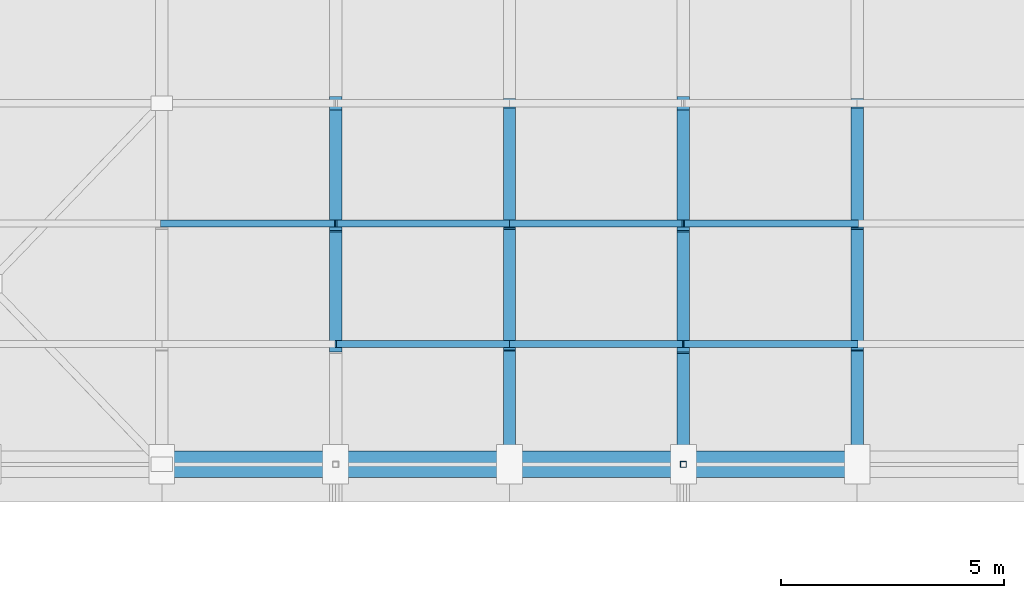
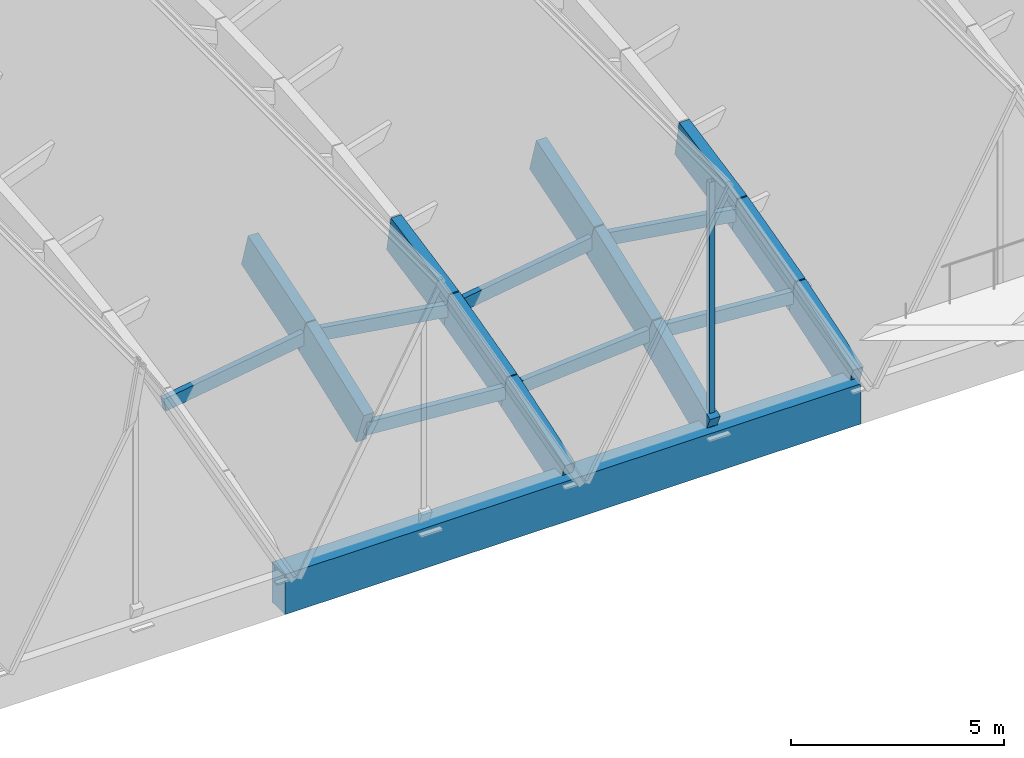
# One storey, part 4 of 39: 19 members, 1 beam.
"""IFC4 building model written with IfcOpenShell, lengths in metres."""

from ifc_helpers import new_model, si_unit, direction, frame, origin, origin_2d, place, context, subcontext, project, spatial, rectangle, hollow_rectangle, extrude, material, material_profile, profile_set, type_object, element, save


model = new_model("IFC4")

# Units and contexts
model_context = context("Model", 3, precision=1e-05, world=origin(), true_north=direction((0.0, 1.0)))
body_context = subcontext(model_context, "Body", "Model", "MODEL_VIEW")
ifc_project = project(units=[si_unit("LENGTHUNIT", "METRE"), si_unit("AREAUNIT", "SQUARE_METRE"), si_unit("VOLUMEUNIT", "CUBIC_METRE"), si_unit("PLANEANGLEUNIT", "RADIAN"), si_unit("MASSUNIT", "GRAM", prefix="KILO")], contexts=[model_context])

# Site, building, storey
site_placement = place(None, origin())
site = spatial("IfcSite", under=ifc_project, at=site_placement, CompositionType="ELEMENT")
building_placement = place(site_placement, origin())
building = spatial("IfcBuilding", under=site, at=building_placement, Name="Tizgana Railside Sports Hall", CompositionType="ELEMENT")
storey_placement = place(building_placement, frame((0.0, 0.0, 23.699951171875)))
storey = spatial("IfcBuildingStorey", under=building, at=storey_placement, Name="RF", CompositionType="ELEMENT", Elevation=23.699951171875)

# Beam
ifc_material_1 = material(Name="Concrete C40/50", Category="concrete")
ifc_material_profile_1 = material_profile(ifc_material_1, rectangle(XDim=0.60009765625, YDim=1.14990234375, at=origin_2d()), Name="RCB 600x1150")
ifc_profile_set_1 = profile_set([ifc_material_profile_1], Name="Concrete C40/50")
beam_type = type_object("IfcBeamType", Name="Concrete Beam RCB 600x1150", PredefinedType="BEAM", material=ifc_profile_set_1)
beam_placement = place(storey_placement, frame((7.800048828125, 40.800048828125, -8.675048828125), z_axis=(1.0, 0.0, 0.0), x_axis=(0.0, 1.0, 0.0)))
element("IfcBeam", 1, at=beam_placement, inside=storey, type_object=beam_type, Name="RF BEM-1212", PredefinedType="BEAM", context=body_context, shape_type="SweptSolid", body=[
    extrude(rectangle(XDim=0.60009765625, YDim=1.14990234375, at=origin_2d()), origin(), (0.0, 0.0, 1.0), 15.599853515625),
])

# Members
ifc_material_2 = material(Name="Glulam GL32h", Category="wood")
ifc_material_profile_2 = material_profile(ifc_material_2, rectangle(XDim=0.280029296875, YDim=1.050048828125, at=origin_2d()), Name="GL 280x1050")
ifc_profile_set_2 = profile_set([ifc_material_profile_2], Name="Glulam GL32h")
member_type_1 = type_object("IfcMemberType", Name="Glulam Arch Segment GL 280x1050", PredefinedType="USERDEFINED", material=ifc_profile_set_2)
member_1_placement = place(storey_placement, frame((11.699951171875, 43.5, -7.071044921875), z_axis=(0.0, 0.936999478025, 0.349330757564), x_axis=(-1.0, 0.0, 0.0)))
element("IfcMember", 2, at=member_1_placement, inside=storey, type_object=member_type_1, Name="RF V1 Arch Chord MEM-0064", ObjectType="ARCH_SEGMENT", PredefinedType="USERDEFINED", context=body_context, shape_type="SweptSolid", body=[
    extrude(rectangle(XDim=0.280029296875, YDim=1.050048828125, at=origin_2d()), origin(), (0.0, 0.0, 1.0), 2.881591796875),
])
member_2_placement = place(storey_placement, frame((11.699951171875, 46.199951171875, -6.064453125), z_axis=(0.0, 0.954601237081, 0.297886686786), x_axis=(-1.0, 0.0, 0.0)))
element("IfcMember", 3, at=member_2_placement, inside=storey, type_object=member_type_1, Name="RF V1 Arch Chord MEM-0065", ObjectType="ARCH_SEGMENT", PredefinedType="USERDEFINED", context=body_context, shape_type="SweptSolid", body=[
    extrude(rectangle(XDim=0.280029296875, YDim=1.050048828125, at=origin_2d()), origin(), (0.0, 0.0, 1.0), 2.828369140625),
])
member_3_placement = place(storey_placement, frame((15.60009765625, 40.800048828125, -8.25), z_axis=(0.0, 0.95088673489, 0.309539040203), x_axis=(-1.0, 0.0, 0.0)))
element("IfcMember", 4, at=member_3_placement, inside=storey, type_object=member_type_1, Name="RF V1 Arch Chord MEM-0076", ObjectType="ARCH_SEGMENT", PredefinedType="USERDEFINED", context=body_context, shape_type="SweptSolid", body=[
    extrude(rectangle(XDim=0.280029296875, YDim=1.050048828125, at=origin_2d()), origin(), (0.0, 0.0, 1.0), 2.83935546875),
])
member_4_placement = place(storey_placement, frame((15.60009765625, 43.5, -7.37109375), z_axis=(0.0, 0.96740233444, 0.253244394448), x_axis=(-1.0, 0.0, 0.0)))
element("IfcMember", 5, at=member_4_placement, inside=storey, type_object=member_type_1, Name="RF V1 Arch Chord MEM-0077", ObjectType="ARCH_SEGMENT", PredefinedType="USERDEFINED", context=body_context, shape_type="SweptSolid", body=[
    extrude(rectangle(XDim=0.280029296875, YDim=1.050048828125, at=origin_2d()), origin(), (0.0, 0.0, 1.0), 2.791015625),
])
member_5_placement = place(storey_placement, frame((15.60009765625, 46.199951171875, -6.664306640625), z_axis=(0.0, 0.980423512867, 0.196900318481), x_axis=(-1.0, 0.0, 0.0)))
element("IfcMember", 6, at=member_5_placement, inside=storey, type_object=member_type_1, Name="RF V1 Arch Chord MEM-0078", ObjectType="ARCH_SEGMENT", PredefinedType="USERDEFINED", context=body_context, shape_type="SweptSolid", body=[
    extrude(rectangle(XDim=0.280029296875, YDim=1.050048828125, at=origin_2d()), origin(), (0.0, 0.0, 1.0), 2.75390625),
])
member_6_placement = place(storey_placement, frame((19.5, 40.800048828125, -8.25), z_axis=(0.0, 0.91644048833, 0.400171002635), x_axis=(-1.0, 0.0, 0.0)))
element("IfcMember", 7, at=member_6_placement, inside=storey, type_object=member_type_1, Name="RF V1 Arch Chord MEM-0089", ObjectType="ARCH_SEGMENT", PredefinedType="USERDEFINED", context=body_context, shape_type="SweptSolid", body=[
    extrude(rectangle(XDim=0.280029296875, YDim=1.050048828125, at=origin_2d()), origin(), (0.0, 0.0, 1.0), 2.946044921875),
])
member_7_placement = place(storey_placement, frame((19.5, 43.5, -7.071044921875), z_axis=(0.0, 0.936999478025, 0.349330757564), x_axis=(-1.0, 0.0, 0.0)))
element("IfcMember", 8, at=member_7_placement, inside=storey, type_object=member_type_1, Name="RF V1 Arch Chord MEM-0090", ObjectType="ARCH_SEGMENT", PredefinedType="USERDEFINED", context=body_context, shape_type="SweptSolid", body=[
    extrude(rectangle(XDim=0.280029296875, YDim=1.050048828125, at=origin_2d()), origin(), (0.0, 0.0, 1.0), 2.881591796875),
])
member_8_placement = place(storey_placement, frame((19.5, 46.199951171875, -6.064453125), z_axis=(0.0, 0.954601237081, 0.297886686786), x_axis=(-1.0, 0.0, 0.0)))
element("IfcMember", 9, at=member_8_placement, inside=storey, type_object=member_type_1, Name="RF V1 Arch Chord MEM-0091", ObjectType="ARCH_SEGMENT", PredefinedType="USERDEFINED", context=body_context, shape_type="SweptSolid", body=[
    extrude(rectangle(XDim=0.280029296875, YDim=1.050048828125, at=origin_2d()), origin(), (0.0, 0.0, 1.0), 2.828369140625),
])
member_9_placement = place(storey_placement, frame((23.39990234375, 40.800048828125, -8.25), z_axis=(0.0, 0.95088673489, 0.309539040203), x_axis=(-1.0, 0.0, 0.0)))
element("IfcMember", 10, at=member_9_placement, inside=storey, type_object=member_type_1, Name="RF V1 Arch Chord MEM-0102", ObjectType="ARCH_SEGMENT", PredefinedType="USERDEFINED", context=body_context, shape_type="SweptSolid", body=[
    extrude(rectangle(XDim=0.280029296875, YDim=1.050048828125, at=origin_2d()), origin(), (0.0, 0.0, 1.0), 2.83935546875),
])
member_10_placement = place(storey_placement, frame((23.39990234375, 43.5, -7.37109375), z_axis=(0.0, 0.96740233444, 0.253244394448), x_axis=(-1.0, 0.0, 0.0)))
element("IfcMember", 11, at=member_10_placement, inside=storey, type_object=member_type_1, Name="RF V1 Arch Chord MEM-0103", ObjectType="ARCH_SEGMENT", PredefinedType="USERDEFINED", context=body_context, shape_type="SweptSolid", body=[
    extrude(rectangle(XDim=0.280029296875, YDim=1.050048828125, at=origin_2d()), origin(), (0.0, 0.0, 1.0), 2.791015625),
])
member_11_placement = place(storey_placement, frame((23.39990234375, 46.199951171875, -6.664306640625), z_axis=(0.0, 0.980423512867, 0.196900318481), x_axis=(-1.0, 0.0, 0.0)))
element("IfcMember", 12, at=member_11_placement, inside=storey, type_object=member_type_1, Name="RF V1 Arch Chord MEM-0104", ObjectType="ARCH_SEGMENT", PredefinedType="USERDEFINED", context=body_context, shape_type="SweptSolid", body=[
    extrude(rectangle(XDim=0.280029296875, YDim=1.050048828125, at=origin_2d()), origin(), (0.0, 0.0, 1.0), 2.75390625),
])
ifc_material_3 = material(Name="Glulam GL28h", Category="wood")
ifc_material_profile_3 = material_profile(ifc_material_3, rectangle(XDim=0.159912109375, YDim=0.360107421875, at=origin_2d()), Name="GL 160x360")
ifc_profile_set_3 = profile_set([ifc_material_profile_3], Name="Glulam GL28h")
member_type_2 = type_object("IfcMemberType", Name="Glulam Roof Purlin GL 160x360", PredefinedType="PURLIN", material=ifc_profile_set_3)
member_12_placement = place(storey_placement, frame((11.699951171875, 43.5, -7.071044921875), z_axis=(0.997053751181, 0.0, -0.076706044457), x_axis=(0.0, 1.0, 0.0)))
element("IfcMember", 13, at=member_12_placement, inside=storey, type_object=member_type_2, Name="RF V1 Purlin MEM-0253", PredefinedType="PURLIN", context=body_context, shape_type="SweptSolid", body=[
    extrude(rectangle(XDim=0.159912109375, YDim=0.360107421875, at=origin_2d()), origin(), (0.0, 0.0, 1.0), 3.91162109375),
])
member_13_placement = place(storey_placement, frame((7.800048828125, 46.199951171875, -6.664306640625), z_axis=(0.988376704266, 0.0, 0.152024637685), x_axis=(0.0, 1.0, 0.0)))
element("IfcMember", 14, at=member_13_placement, inside=storey, type_object=member_type_2, Name="RF V1 Purlin MEM-0254", PredefinedType="PURLIN", context=body_context, shape_type="SweptSolid", body=[
    extrude(rectangle(XDim=0.159912109375, YDim=0.360107421875, at=origin_2d()), origin(), (0.0, 0.0, 1.0), 3.94580078125),
])
member_14_placement = place(storey_placement, frame((11.699951171875, 46.199951171875, -6.064453125), z_axis=(0.988378134138, 0.0, -0.152015341194), x_axis=(0.0, 1.0, 0.0)))
element("IfcMember", 15, at=member_14_placement, inside=storey, type_object=member_type_2, Name="RF V1 Purlin MEM-0255", PredefinedType="PURLIN", context=body_context, shape_type="SweptSolid", body=[
    extrude(rectangle(XDim=0.159912109375, YDim=0.360107421875, at=origin_2d()), origin(), (0.0, 0.0, 1.0), 3.946044921875),
])
for number, where, z_axis, x_axis, name in (
    (16, (15.60009765625, 43.5, -7.37109375), (0.997053383918, 0.0, 0.076710818132), (0.0, 1.0, 0.0), "RF V1 Purlin MEM-0277"),
    (17, (19.5, 43.5, -7.071044921875), (0.997053383918, 0.0, -0.076710818132), (0.0, 1.0, 0.0), "RF V1 Purlin MEM-0278"),
):
    element("IfcMember", number, at=place(storey_placement, frame(where, z_axis=z_axis, x_axis=x_axis)), inside=storey, type_object=member_type_2, Name=name, PredefinedType="PURLIN", context=body_context, shape_type="SweptSolid", body=[
        extrude(rectangle(XDim=0.159912109375, YDim=0.360107421875, at=origin_2d()), origin(), (0.0, 0.0, 1.0), 3.911376953125),
    ])
for number, where, z_axis, x_axis, name in (
    (18, (15.60009765625, 46.199951171875, -6.664306640625), (0.988376704266, 0.0, 0.152024637685), (0.0, 1.0, 0.0), "RF V1 Purlin MEM-0279"),
    (19, (19.5, 46.199951171875, -6.064453125), (0.988376704266, 0.0, -0.152024637685), (0.0, 1.0, 0.0), "RF V1 Purlin MEM-0280"),
):
    element("IfcMember", number, at=place(storey_placement, frame(where, z_axis=z_axis, x_axis=x_axis)), inside=storey, type_object=member_type_2, Name=name, PredefinedType="PURLIN", context=body_context, shape_type="SweptSolid", body=[
        extrude(rectangle(XDim=0.159912109375, YDim=0.360107421875, at=origin_2d()), origin(), (0.0, 0.0, 1.0), 3.94580078125),
    ])
ifc_material_4 = material(Name="Steel S355J2", Category="steel")
ifc_material_profile_4 = material_profile(ifc_material_4, hollow_rectangle(XDim=0.139892578125, YDim=0.139892578125, WallThickness=0.008056640625, at=origin_2d()), Name="SHS 140x140x8")
ifc_profile_set_4 = profile_set([ifc_material_profile_4], Name="Steel S355J2")
member_type_3 = type_object("IfcMemberType", Name="Steel Brace SHS 140x140x8", PredefinedType="BRACE", material=ifc_profile_set_4)
member_15_placement = place(storey_placement, frame((19.5, 40.800048828125, -8.300048828125), z_axis=(0.0, 0.0, 1.0), x_axis=(1.0, 0.0, 0.0)))
element("IfcMember", 20, at=member_15_placement, inside=storey, type_object=member_type_3, Name="RF King Post", PredefinedType="BRACE", context=body_context, shape_type="SweptSolid", body=[
    extrude(hollow_rectangle(XDim=0.139892578125, YDim=0.139892578125, WallThickness=0.008056640625, at=origin_2d()), origin(), (0.0, 0.0, 1.0), 7.2001953125),
])

save(model, "model.ifc")
